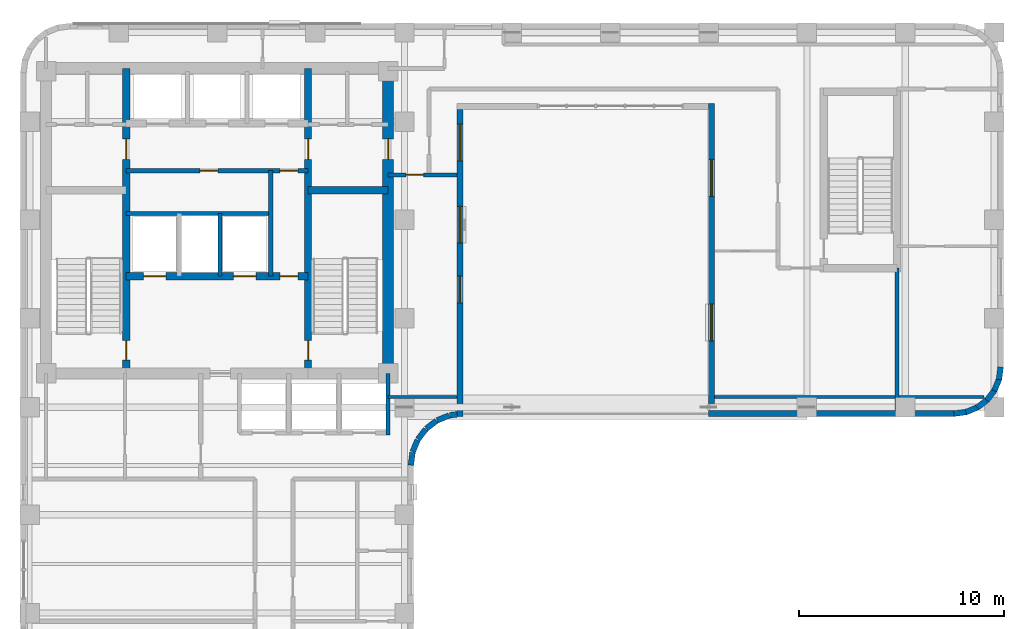
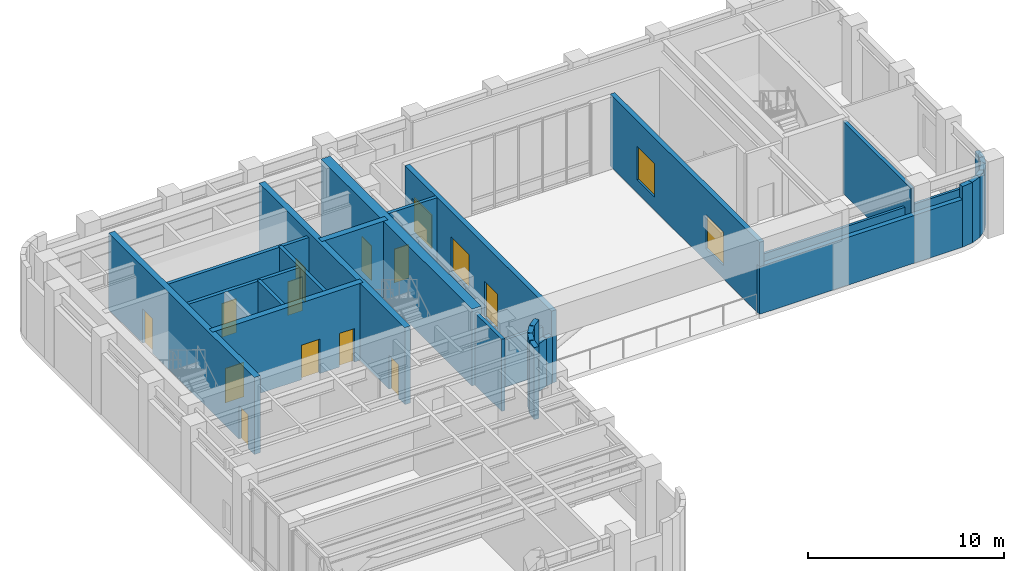
# One storey, part 7 of 12: 29 walls, 12 doors, 4 windows, 16 openings.
"""IFC4 building model written with IfcOpenShell, lengths in metres."""

from ifc_helpers import new_model, si_unit, direction, frame, frame_2d, origin, place, context, subcontext, project, spatial, rectangle, extrude, material, layer, layer_set, type_object, element, fill, save


model = new_model("IFC4")

# Units and contexts
model_context = context("Model", 3, precision=1e-05, world=origin(), true_north=direction((0.0, 1.0)))
body_context = subcontext(model_context, "Body", "Model", "MODEL_VIEW")
ifc_project = project(units=[si_unit("LENGTHUNIT", "METRE"), si_unit("AREAUNIT", "SQUARE_METRE"), si_unit("VOLUMEUNIT", "CUBIC_METRE"), si_unit("PLANEANGLEUNIT", "RADIAN"), si_unit("MASSUNIT", "GRAM", prefix="KILO")], contexts=[model_context])

# Site, building, storey
site_placement = place(None, origin())
site = spatial("IfcSite", under=ifc_project, at=site_placement, CompositionType="ELEMENT")
building_placement = place(site_placement, origin())
building = spatial("IfcBuilding", under=site, at=building_placement, Name="Orvandelia Arch Residences", CompositionType="ELEMENT")
storey_placement = place(building_placement, frame((0.0, 0.0, 193.60009765625)))
storey = spatial("IfcBuildingStorey", under=building, at=storey_placement, Name="L51", CompositionType="ELEMENT", Elevation=193.60009765625)

# Wall, openings, doors
ifc_material_1 = material(Name="Concrete C50/60", Category="concrete")
ifc_layer_1 = layer(ifc_material_1, 0.35009765625, Name="Concrete C50/60", Category="concrete")
ifc_layer_set_1 = layer_set([ifc_layer_1], Name="Concrete C50/60")
wall_type_1 = type_object("IfcWallType", Name="WL-CORE-350", PredefinedType="SHEAR", material=ifc_layer_set_1)
wall_1_placement = place(storey_placement, frame((9.9599609375, 30.89990234375, 0.0), z_axis=(0.0, 0.0, 1.0), x_axis=(0.0, 1.0, 0.0)))
wall_1 = element("IfcWall", 1, at=wall_1_placement, inside=storey, type_object=wall_type_1, Name="Core Shear Wall L51-WEB1", PredefinedType="SHEAR", context=body_context, shape_type="SweptSolid", body=[
    extrude(rectangle(XDim=14.900146484375, YDim=0.35009765625, at=frame_2d((7.4501953125, 0.0))), origin(), (0.0, 0.0, 1.0), 4.7998046875),
])
opening_1_placement = place(wall_1_placement, frame((0.64990234375, 0.0, 0.0)))
opening_1 = element("IfcOpeningElement", 2, at=opening_1_placement, cuts=wall_1, Name="Opening D7", PredefinedType="OPENING", context=body_context, shape_type="SweptSolid", body=[
    extrude(rectangle(XDim=0.949951171875, YDim=2.10009765625, at=frame_2d((0.47509765625, 1.050048828125))), frame((0.0, 0.18505859375, 0.0), z_axis=(0.0, -1.0, 0.0), x_axis=(1.0, 0.0, 0.0)), (0.0, 0.0, 1.0), 0.3701171875),
])
opening_2_placement = place(wall_1_placement, frame((10.449951171875, 0.0, 0.0)))
opening_2 = element("IfcOpeningElement", 3, at=opening_2_placement, cuts=wall_1, Name="Opening D6", PredefinedType="OPENING", context=body_context, shape_type="SweptSolid", body=[
    extrude(rectangle(XDim=1.0, YDim=2.14990234375, at=frame_2d((0.5, 1.074951171875))), frame((0.0, 0.18505859375, 0.0), z_axis=(0.0, -1.0, 0.0), x_axis=(1.0, 0.0, 0.0)), (0.0, 0.0, 1.0), 0.3701171875),
])
ifc_material_2 = material(Name="Smokeproof Painted Steel Fire Door", Category="steel")
door_type_1 = type_object("IfcDoorType", Name="DR-FD60-1000", OperationType="NOTDEFINED", PredefinedType="DOOR", material=ifc_material_2)
door_1_placement = place(opening_2_placement, origin())
door_1 = element("IfcDoor", 4, at=door_1_placement, inside=storey, type_object=door_type_1, Name="High-Rise Lift Hall West Vestibule Door L51", OperationType="SINGLE_SWING_LEFT", OverallHeight=2.14990234375, OverallWidth=1.0, PredefinedType="DOOR", context=body_context, shape_type="SweptSolid", body=[
    extrude(rectangle(XDim=1.0, YDim=2.14990234375, at=frame_2d((0.5, 1.074951171875))), frame((0.0, 0.02490234375, 0.0), z_axis=(0.0, -1.0, 0.0), x_axis=(1.0, 0.0, 0.0)), (0.0, 0.0, 1.0), 0.050048828125),
])
fill(opening_2, door_1)
ifc_material_3 = material(Name="Pressurised Stairwell Fire Door")
door_type_2 = type_object("IfcDoorType", Name="DR-STAIR-950", OperationType="NOTDEFINED", PredefinedType="DOOR", material=ifc_material_3)
door_2_placement = place(opening_1_placement, origin())
door_2 = element("IfcDoor", 5, at=door_2_placement, inside=storey, type_object=door_type_2, Name="Stairwell ST-1 Fire Door L51", OperationType="SINGLE_SWING_LEFT", OverallHeight=2.10009765625, OverallWidth=0.949951171875, PredefinedType="DOOR", context=body_context, shape_type="SweptSolid", body=[
    extrude(rectangle(XDim=0.949951171875, YDim=2.10009765625, at=frame_2d((0.47509765625, 1.050048828125))), frame((0.0, 0.02490234375, 0.0), z_axis=(0.0, -1.0, 0.0), x_axis=(1.0, 0.0, 0.0)), (0.0, 0.0, 1.0), 0.050048828125),
])
fill(opening_1, door_2)

wall_2_placement = place(storey_placement, frame((18.840087890625, 30.89990234375, 0.0), z_axis=(0.0, 0.0, 1.0), x_axis=(0.0, 1.0, 0.0)))
wall_2 = element("IfcWall", 6, at=wall_2_placement, inside=storey, type_object=wall_type_1, Name="Core Shear Wall L51-WEB2", PredefinedType="SHEAR", context=body_context, shape_type="SweptSolid", body=[
    extrude(rectangle(XDim=14.900146484375, YDim=0.35009765625, at=frame_2d((7.4501953125, 0.0))), origin(), (0.0, 0.0, 1.0), 4.7998046875),
])
opening_3_placement = place(wall_2_placement, frame((0.64990234375, 0.0, 0.0)))
opening_3 = element("IfcOpeningElement", 7, at=opening_3_placement, cuts=wall_2, Name="Opening D7", PredefinedType="OPENING", context=body_context, shape_type="SweptSolid", body=[
    extrude(rectangle(XDim=0.949951171875, YDim=2.10009765625, at=frame_2d((0.47509765625, 1.050048828125))), frame((0.0, 0.18505859375, 0.0), z_axis=(0.0, -1.0, 0.0), x_axis=(1.0, 0.0, 0.0)), (0.0, 0.0, 1.0), 0.3701171875),
])
opening_4_placement = place(wall_2_placement, frame((10.449951171875, 0.0, 0.0)))
opening_4 = element("IfcOpeningElement", 8, at=opening_4_placement, cuts=wall_2, Name="Opening D6", PredefinedType="OPENING", context=body_context, shape_type="SweptSolid", body=[
    extrude(rectangle(XDim=1.0, YDim=2.14990234375, at=frame_2d((0.5, 1.074951171875))), frame((0.0, 0.18505859375, 0.0), z_axis=(0.0, -1.0, 0.0), x_axis=(1.0, 0.0, 0.0)), (0.0, 0.0, 1.0), 0.3701171875),
])
door_3_placement = place(opening_4_placement, origin())
door_3 = element("IfcDoor", 9, at=door_3_placement, inside=storey, type_object=door_type_1, Name="High-Rise Lift Hall East Vestibule Door L51", OperationType="SINGLE_SWING_RIGHT", OverallHeight=2.14990234375, OverallWidth=1.0, PredefinedType="DOOR", context=body_context, shape_type="SweptSolid", body=[
    extrude(rectangle(XDim=1.0, YDim=2.14990234375, at=frame_2d((0.5, 1.074951171875))), frame((0.0, 0.02490234375, 0.0), z_axis=(0.0, -1.0, 0.0), x_axis=(1.0, 0.0, 0.0)), (0.0, 0.0, 1.0), 0.050048828125),
])
fill(opening_4, door_3)
door_4_placement = place(opening_3_placement, origin())
door_4 = element("IfcDoor", 10, at=door_4_placement, inside=storey, type_object=door_type_2, Name="Stairwell ST-2 Fire Door L51", OperationType="SINGLE_SWING_RIGHT", OverallHeight=2.10009765625, OverallWidth=0.949951171875, PredefinedType="DOOR", context=body_context, shape_type="SweptSolid", body=[
    extrude(rectangle(XDim=0.949951171875, YDim=2.10009765625, at=frame_2d((0.47509765625, 1.050048828125))), frame((0.0, 0.02490234375, 0.0), z_axis=(0.0, -1.0, 0.0), x_axis=(1.0, 0.0, 0.0)), (0.0, 0.0, 1.0), 0.050048828125),
])
fill(opening_3, door_4)

# Wall
wall_3_placement = place(storey_placement, frame((18.840087890625, 39.85009765625, 0.0), z_axis=(0.0, 0.0, 1.0), x_axis=(1.0, 0.0, 0.0)))
element("IfcWall", 11, at=wall_3_placement, inside=storey, type_object=wall_type_1, Name="Core Shear Wall L51-HZ2", PredefinedType="SHEAR", context=body_context, shape_type="SweptSolid", body=[
    extrude(rectangle(XDim=3.909912109375, YDim=0.35009765625, at=frame_2d((1.955078125, 0.0))), origin(), (0.0, 0.0, 1.0), 4.7998046875),
])

# Wall, openings, doors
wall_4_placement = place(storey_placement, frame((9.9599609375, 35.64990234375, 0.0), z_axis=(0.0, 0.0, 1.0), x_axis=(1.0, 0.0, 0.0)))
wall_4 = element("IfcWall", 12, at=wall_4_placement, inside=storey, type_object=wall_type_1, Name="Core Shear Wall L51-HZ3", PredefinedType="SHEAR", context=body_context, shape_type="SweptSolid", body=[
    extrude(rectangle(XDim=8.880126953125, YDim=0.35009765625, at=frame_2d((4.43994140625, 0.0))), origin(), (0.0, 0.0, 1.0), 4.7998046875),
])
opening_5_placement = place(wall_4_placement, frame((0.840087890625, 0.0, 0.0)))
opening_5 = element("IfcOpeningElement", 13, at=opening_5_placement, cuts=wall_4, Name="Opening FLD", PredefinedType="OPENING", context=body_context, shape_type="SweptSolid", body=[
    extrude(rectangle(XDim=1.10009765625, YDim=2.14990234375, at=frame_2d((0.550048828125, 1.074951171875))), frame((0.0, 0.18505859375, 0.0), z_axis=(0.0, -1.0, 0.0), x_axis=(1.0, 0.0, 0.0)), (0.0, 0.0, 1.0), 0.3701171875),
])
opening_6_placement = place(wall_4_placement, frame((5.239990234375, 0.0, 0.0)))
opening_6 = element("IfcOpeningElement", 14, at=opening_6_placement, cuts=wall_4, Name="Opening FLD", PredefinedType="OPENING", context=body_context, shape_type="SweptSolid", body=[
    extrude(rectangle(XDim=1.10009765625, YDim=2.14990234375, at=frame_2d((0.550048828125, 1.074951171875))), frame((0.0, 0.18505859375, 0.0), z_axis=(0.0, -1.0, 0.0), x_axis=(1.0, 0.0, 0.0)), (0.0, 0.0, 1.0), 0.3701171875),
])
opening_7_placement = place(wall_4_placement, frame((7.5, 0.0, 0.0)))
opening_7 = element("IfcOpeningElement", 15, at=opening_7_placement, cuts=wall_4, Name="Opening D5", PredefinedType="OPENING", context=body_context, shape_type="SweptSolid", body=[
    extrude(rectangle(XDim=0.8798828125, YDim=2.10009765625, at=frame_2d((0.43994140625, 1.050048828125))), frame((0.0, 0.18505859375, 0.0), z_axis=(0.0, -1.0, 0.0), x_axis=(1.0, 0.0, 0.0)), (0.0, 0.0, 1.0), 0.3701171875),
])
ifc_material_4 = material(Name="Firefighting Lift Stainless Sliding Door")
door_type_3 = type_object("IfcDoorType", Name="DR-FLFT-1100", OperationType="NOTDEFINED", PredefinedType="DOOR", material=ifc_material_4)
door_5_placement = place(opening_5_placement, origin())
door_5 = element("IfcDoor", 16, at=door_5_placement, inside=storey, type_object=door_type_3, Name="Firefighting Lift Landing Door FLD-FL1-L51", OperationType="SLIDING_TO_LEFT", OverallHeight=2.14990234375, OverallWidth=1.10009765625, PredefinedType="DOOR", context=body_context, shape_type="SweptSolid", body=[
    extrude(rectangle(XDim=1.10009765625, YDim=2.14990234375, at=frame_2d((0.550048828125, 1.074951171875))), frame((0.0, 0.02490234375, 0.0), z_axis=(0.0, -1.0, 0.0), x_axis=(1.0, 0.0, 0.0)), (0.0, 0.0, 1.0), 0.050048828125),
])
fill(opening_5, door_5)
door_6_placement = place(opening_6_placement, origin())
door_6 = element("IfcDoor", 17, at=door_6_placement, inside=storey, type_object=door_type_3, Name="Firefighting Lift Landing Door FLD-FL2-L51", OperationType="SLIDING_TO_RIGHT", OverallHeight=2.14990234375, OverallWidth=1.10009765625, PredefinedType="DOOR", context=body_context, shape_type="SweptSolid", body=[
    extrude(rectangle(XDim=1.10009765625, YDim=2.14990234375, at=frame_2d((0.550048828125, 1.074951171875))), frame((0.0, 0.02490234375, 0.0), z_axis=(0.0, -1.0, 0.0), x_axis=(1.0, 0.0, 0.0)), (0.0, 0.0, 1.0), 0.050048828125),
])
fill(opening_6, door_6)
ifc_material_5 = material(Name="Painted Galvanised Steel Service Door", Category="steel")
door_type_4 = type_object("IfcDoorType", Name="DR-SRV-880", OperationType="NOTDEFINED", PredefinedType="DOOR", material=ifc_material_5)
door_7_placement = place(opening_7_placement, origin())
door_7 = element("IfcDoor", 18, at=door_7_placement, inside=storey, type_object=door_type_4, Name="Core Stairway Passage South Fire Door L51", OperationType="SINGLE_SWING_LEFT", OverallHeight=2.10009765625, OverallWidth=0.8798828125, PredefinedType="DOOR", context=body_context, shape_type="SweptSolid", body=[
    extrude(rectangle(XDim=0.8798828125, YDim=2.10009765625, at=frame_2d((0.43994140625, 1.050048828125))), frame((0.0, 0.02490234375, 0.0), z_axis=(0.0, -1.0, 0.0), x_axis=(1.0, 0.0, 0.0)), (0.0, 0.0, 1.0), 0.050048828125),
])
fill(opening_7, door_7)

# Wall, opening, door
ifc_material_6 = material(Name="Concrete C60/75", Category="concrete")
ifc_layer_2 = layer(ifc_material_6, 0.550048828125, Name="Concrete C60/75", Category="concrete")
ifc_layer_set_2 = layer_set([ifc_layer_2], Name="Concrete C60/75")
wall_type_2 = type_object("IfcWallType", Name="WL-CORE-550", PredefinedType="SHEAR", material=ifc_layer_set_2)
wall_5_placement = place(storey_placement, frame((22.75, 30.625, 0.0), z_axis=(0.0, 0.0, 1.0), x_axis=(0.0, 1.0, 0.0)))
wall_5 = element("IfcWall", 19, at=wall_5_placement, inside=storey, type_object=wall_type_2, Name="Core Shear Wall L51-E", PredefinedType="SHEAR", context=body_context, shape_type="SweptSolid", body=[
    extrude(rectangle(XDim=15.449951171875, YDim=0.550048828125, at=frame_2d((7.72509765625, 0.0))), origin(), (0.0, 0.0, 1.0), 4.7998046875),
])
opening_8_placement = place(wall_5_placement, frame((10.72509765625, 0.0, 0.0)))
opening_8 = element("IfcOpeningElement", 20, at=opening_8_placement, cuts=wall_5, Name="Opening D6", PredefinedType="OPENING", context=body_context, shape_type="SweptSolid", body=[
    extrude(rectangle(XDim=1.0, YDim=2.14990234375, at=frame_2d((0.5, 1.074951171875))), frame((0.0, 0.28515625, 0.0), z_axis=(0.0, -1.0, 0.0), x_axis=(1.0, 0.0, 0.0)), (0.0, 0.0, 1.0), 0.570068359375),
])
door_8_placement = place(opening_8_placement, origin())
door_8 = element("IfcDoor", 21, at=door_8_placement, inside=storey, type_object=door_type_1, Name="Core East Corridor Link Door L51", OperationType="SINGLE_SWING_LEFT", OverallHeight=2.14990234375, OverallWidth=1.0, PredefinedType="DOOR", context=body_context, shape_type="SweptSolid", body=[
    extrude(rectangle(XDim=1.0, YDim=2.14990234375, at=frame_2d((0.5, 1.074951171875))), frame((0.0, 0.02490234375, 0.0), z_axis=(0.0, -1.0, 0.0), x_axis=(1.0, 0.0, 0.0)), (0.0, 0.0, 1.0), 0.050048828125),
])
fill(opening_8, door_8)

ifc_material_7 = material(Name="Fire-Rated Corridor Partition")
ifc_layer_3 = layer(ifc_material_7, 0.199951171875, Name="Fire-Rated Corridor Partition")
ifc_layer_set_3 = layer_set([ifc_layer_3], Name="Fire-Rated Corridor Partition")
wall_type_3 = type_object("IfcWallType", Name="WL-CORR-200", PredefinedType="PARTITIONING", material=ifc_layer_set_3)
wall_6_placement = place(storey_placement, frame((22.75, 40.60009765625, 0.0), z_axis=(0.0, 0.0, 1.0), x_axis=(1.0, 0.0, 0.0)))
wall_6 = element("IfcWall", 22, at=wall_6_placement, inside=storey, type_object=wall_type_3, Name="Interior Partition Wall WL-L51-SKELS", PredefinedType="PARTITIONING", context=body_context, shape_type="SweptSolid", body=[
    extrude(rectangle(XDim=3.3701171875, YDim=0.199951171875, at=frame_2d((1.68505859375, 0.0))), origin(), (0.0, 0.0, 1.0), 4.5),
])
opening_9_placement = place(wall_6_placement, frame((0.8798828125, 0.0, 0.0)))
opening_9 = element("IfcOpeningElement", 23, at=opening_9_placement, cuts=wall_6, Name="Opening D4", PredefinedType="OPENING", context=body_context, shape_type="SweptSolid", body=[
    extrude(rectangle(XDim=0.860107421875, YDim=2.10009765625, at=frame_2d((0.43017578125, 1.050048828125))), frame((0.0, 0.10986328125, 0.0), z_axis=(0.0, -1.0, 0.0), x_axis=(1.0, 0.0, 0.0)), (0.0, 0.0, 1.0), 0.219970703125),
])
ifc_material_8 = material(Name="Moisture-Sealed Timber Bathroom Door", Category="wood")
door_type_5 = type_object("IfcDoorType", Name="DR-WET-900", OperationType="NOTDEFINED", PredefinedType="DOOR", material=ifc_material_8)
door_9_placement = place(opening_9_placement, origin())
door_9 = element("IfcDoor", 24, at=door_9_placement, inside=storey, type_object=door_type_5, Name="DR-L51-SKWLNG", OperationType="SINGLE_SWING_LEFT", OverallHeight=2.10009765625, OverallWidth=0.860107421875, PredefinedType="DOOR", context=body_context, shape_type="SweptSolid", body=[
    extrude(rectangle(XDim=0.860107421875, YDim=2.10009765625, at=frame_2d((0.43017578125, 1.050048828125))), frame((0.0, 0.02490234375, 0.0), z_axis=(0.0, -1.0, 0.0), x_axis=(1.0, 0.0, 0.0)), (0.0, 0.0, 1.0), 0.050048828125),
])
fill(opening_9, door_9)

# Walls
ifc_material_9 = material(Name="Concrete C40/50", Category="concrete")
ifc_layer_4 = layer(ifc_material_9, 0.199951171875, Name="Concrete C40/50", Category="concrete")
ifc_layer_set_4 = layer_set([ifc_layer_4], Name="Concrete C40/50")
wall_type_4 = type_object("IfcWallType", Name="WL-DEM-200", PredefinedType="SOLIDWALL", material=ifc_layer_set_4)
wall_7_placement = place(storey_placement, frame((47.60009765625, 29.080078125, 0.0), z_axis=(0.0, 0.0, 1.0), x_axis=(0.0, 1.0, 0.0)))
element("IfcWall", 25, at=wall_7_placement, inside=storey, type_object=wall_type_4, Name="Interior Partition Wall WL-L51-SKS3E", PredefinedType="SOLIDWALL", context=body_context, shape_type="SweptSolid", body=[
    extrude(rectangle(XDim=6.9599609375, YDim=0.199951171875, at=frame_2d((3.47998046875, 0.0))), origin(), (0.0, 0.0, 1.0), 4.5),
])
ifc_material_10 = material(Name="Precast concrete C40/50", Category="concrete")
ifc_layer_5 = layer(ifc_material_10, 0.280029296875, Name="Precast concrete C40/50", Category="concrete")
ifc_layer_set_5 = layer_set([ifc_layer_5], Name="Precast concrete C40/50")
wall_type_5 = type_object("IfcWallType", Name="WL-EXT-STONE-280", PredefinedType="STANDARD", material=ifc_layer_set_5)
wall_8_placement = place(storey_placement, frame((52.6611328125, 31.21826171875, 0.0), z_axis=(0.0, 0.0, 1.0), x_axis=(-0.130555323746, -0.9914410257, 0.0)))
element("IfcWall", 26, at=wall_8_placement, inside=storey, type_object=wall_type_5, Name="Coral-Limestone Precast Facade Wall L51-015", PredefinedType="STANDARD", context=body_context, shape_type="SweptSolid", body=[
    extrude(rectangle(XDim=0.62646484375, YDim=0.280029296875, at=frame_2d((0.313232421875, 0.0))), origin(), (0.0, 0.0, 1.0), 3.77978515625),
])
wall_9_placement = place(storey_placement, frame((52.5888671875, 30.63232421875, 0.0), z_axis=(0.0, 0.0, 1.0), x_axis=(-0.382787856107, -0.923836271867, 0.0)))
element("IfcWall", 27, at=wall_9_placement, inside=storey, type_object=wall_type_5, Name="Coral-Limestone Precast Facade Wall L51-016", PredefinedType="STANDARD", context=body_context, shape_type="SweptSolid", body=[
    extrude(rectangle(XDim=0.626220703125, YDim=0.280029296875, at=frame_2d((0.31298828125, 0.0))), origin(), (0.0, 0.0, 1.0), 3.77978515625),
])
for number, where, z_axis, x_axis, name in (
    (28, (52.367431640625, 30.085205078125, 0.0), (0.0, 0.0, 1.0), (-0.608693302629, -0.793405610854, 0.0), "Coral-Limestone Precast Facade Wall L51-017"),
    (29, (52.011962890625, 29.614013671875, 0.0), (0.0, 0.0, 1.0), (-0.793405610854, -0.608693302629, 0.0), "Coral-Limestone Precast Facade Wall L51-018"),
    (30, (51.54638671875, 29.250732421875, 0.0), (0.0, 0.0, 1.0), (-0.92389335771, -0.382650053678, 0.0), "Coral-Limestone Precast Facade Wall L51-019"),
):
    element("IfcWall", number, at=place(storey_placement, frame(where, z_axis=z_axis, x_axis=x_axis)), inside=storey, type_object=wall_type_5, Name=name, PredefinedType="STANDARD", context=body_context, shape_type="SweptSolid", body=[
        extrude(rectangle(XDim=0.62646484375, YDim=0.280029296875, at=frame_2d((0.313232421875, 0.0))), origin(), (0.0, 0.0, 1.0), 3.77978515625),
    ])
wall_10_placement = place(storey_placement, frame((51.0029296875, 29.0205078125, 0.0), z_axis=(0.0, 0.0, 1.0), x_axis=(-0.991447664465, -0.130504898859, 0.0)))
element("IfcWall", 31, at=wall_10_placement, inside=storey, type_object=wall_type_5, Name="Coral-Limestone Precast Facade Wall L51-020", PredefinedType="STANDARD", context=body_context, shape_type="SweptSolid", body=[
    extrude(rectangle(XDim=0.626708984375, YDim=0.280029296875, at=frame_2d((0.3134765625, 0.0))), origin(), (0.0, 0.0, 1.0), 3.77978515625),
])
wall_11_placement = place(storey_placement, frame((50.39990234375, 28.93994140625, 0.0), z_axis=(0.0, 0.0, 1.0), x_axis=(-1.0, 0.0, 0.0)))
element("IfcWall", 32, at=wall_11_placement, inside=storey, type_object=wall_type_5, Name="Coral-Limestone Precast Facade Wall L51-021", PredefinedType="STANDARD", context=body_context, shape_type="SweptSolid", body=[
    extrude(rectangle(XDim=12.0, YDim=0.280029296875, at=frame_2d((6.0, 0.0))), origin(), (0.0, 0.0, 1.0), 2.97998046875),
])

# Wall, openings, windows
wall_12_placement = place(storey_placement, frame((38.5400390625, 28.800048828125, 0.0), z_axis=(0.0, 0.0, 1.0), x_axis=(0.0, 1.0, 0.0)))
wall_12 = element("IfcWall", 33, at=wall_12_placement, inside=storey, type_object=wall_type_5, Name="Coral-Limestone Precast Facade Wall L51-022", PredefinedType="STANDARD", context=body_context, shape_type="SweptSolid", body=[
    extrude(rectangle(XDim=15.280029296875, YDim=0.280029296875, at=frame_2d((7.64013671875, 0.0))), origin(), (0.0, 0.0, 1.0), 4.5),
])
opening_10_placement = place(wall_12_placement, frame((3.68505859375, 0.0, 0.800048828125)))
opening_10 = element("IfcOpeningElement", 34, at=opening_10_placement, cuts=wall_12, Name="Opening W1", PredefinedType="OPENING", context=body_context, shape_type="SweptSolid", body=[
    extrude(rectangle(XDim=1.800048828125, YDim=2.10009765625, at=frame_2d((0.89990234375, 1.050048828125))), frame((0.0, 0.14990234375, 0.0), z_axis=(0.0, -1.0, 0.0), x_axis=(1.0, 0.0, 0.0)), (0.0, 0.0, 1.0), 0.300048828125),
])
opening_11_placement = place(wall_12_placement, frame((10.75, 0.0, 0.800048828125)))
opening_11 = element("IfcOpeningElement", 35, at=opening_11_placement, cuts=wall_12, Name="Opening W1", PredefinedType="OPENING", context=body_context, shape_type="SweptSolid", body=[
    extrude(rectangle(XDim=1.800048828125, YDim=2.10009765625, at=frame_2d((0.89990234375, 1.050048828125))), frame((0.0, 0.14990234375, 0.0), z_axis=(0.0, -1.0, 0.0), x_axis=(1.0, 0.0, 0.0)), (0.0, 0.0, 1.0), 0.300048828125),
])
ifc_material_11 = material(Name="Tempered Low-E Insulated Glazing", Category="glass")
window_type = type_object("IfcWindowType", Name="WIN-RES-1800x2100", PartitioningType="SINGLE_PANEL", PredefinedType="WINDOW", material=ifc_material_11)
window_1_placement = place(opening_10_placement, origin())
window_1 = element("IfcWindow", 36, at=window_1_placement, inside=storey, type_object=window_type, Name="Recessed Punched Window L51-006", OverallHeight=2.10009765625, OverallWidth=1.800048828125, PartitioningType="SINGLE_PANEL", PredefinedType="WINDOW", context=body_context, shape_type="SweptSolid", body=[
    extrude(rectangle(XDim=1.800048828125, YDim=2.10009765625, at=frame_2d((0.89990234375, 1.050048828125))), frame((0.0, 0.030029296875, 0.0), z_axis=(0.0, -1.0, 0.0), x_axis=(1.0, 0.0, 0.0)), (0.0, 0.0, 1.0), 0.06005859375),
])
fill(opening_10, window_1)
window_2_placement = place(opening_11_placement, origin())
window_2 = element("IfcWindow", 37, at=window_2_placement, inside=storey, type_object=window_type, Name="Recessed Punched Window L51-007", OverallHeight=2.10009765625, OverallWidth=1.800048828125, PartitioningType="SINGLE_PANEL", PredefinedType="WINDOW", context=body_context, shape_type="SweptSolid", body=[
    extrude(rectangle(XDim=1.800048828125, YDim=2.10009765625, at=frame_2d((0.89990234375, 1.050048828125))), frame((0.0, 0.030029296875, 0.0), z_axis=(0.0, -1.0, 0.0), x_axis=(1.0, 0.0, 0.0)), (0.0, 0.0, 1.0), 0.06005859375),
])
fill(opening_11, window_2)

# Wall, openings, door, windows
wall_13_placement = place(storey_placement, frame((26.260009765625, 43.800048828125, 0.0), z_axis=(0.0, 0.0, 1.0), x_axis=(0.0, -1.0, 0.0)))
wall_13 = element("IfcWall", 38, at=wall_13_placement, inside=storey, type_object=wall_type_5, Name="Coral-Limestone Precast Facade Wall L51-025", PredefinedType="STANDARD", context=body_context, shape_type="SweptSolid", body=[
    extrude(rectangle(XDim=15.0, YDim=0.280029296875, at=frame_2d((7.5, 0.0))), origin(), (0.0, 0.0, 1.0), 4.5),
])
opening_12_placement = place(wall_13_placement, frame((8.14990234375, 0.0, 0.0)))
opening_12 = element("IfcOpeningElement", 39, at=opening_12_placement, cuts=wall_13, Name="Opening TD1", PredefinedType="OPENING", context=body_context, shape_type="SweptSolid", body=[
    extrude(rectangle(XDim=1.300048828125, YDim=2.199951171875, at=frame_2d((0.64990234375, 1.10009765625))), frame((0.0, 0.14990234375, 0.0), z_axis=(0.0, -1.0, 0.0), x_axis=(1.0, 0.0, 0.0)), (0.0, 0.0, 1.0), 0.300048828125),
])
opening_13_placement = place(wall_13_placement, frame((0.719970703125, 0.0, 0.800048828125)))
opening_13 = element("IfcOpeningElement", 40, at=opening_13_placement, cuts=wall_13, Name="Opening W1", PredefinedType="OPENING", context=body_context, shape_type="SweptSolid", body=[
    extrude(rectangle(XDim=1.800048828125, YDim=2.10009765625, at=frame_2d((0.89990234375, 1.050048828125))), frame((0.0, 0.14990234375, 0.0), z_axis=(0.0, -1.0, 0.0), x_axis=(1.0, 0.0, 0.0)), (0.0, 0.0, 1.0), 0.300048828125),
])
opening_14_placement = place(wall_13_placement, frame((4.735107421875, 0.0, 0.800048828125)))
opening_14 = element("IfcOpeningElement", 41, at=opening_14_placement, cuts=wall_13, Name="Opening W1", PredefinedType="OPENING", context=body_context, shape_type="SweptSolid", body=[
    extrude(rectangle(XDim=1.800048828125, YDim=2.10009765625, at=frame_2d((0.89990234375, 1.050048828125))), frame((0.0, 0.14990234375, 0.0), z_axis=(0.0, -1.0, 0.0), x_axis=(1.0, 0.0, 0.0)), (0.0, 0.0, 1.0), 0.300048828125),
])
ifc_material_12 = material(Name="Thermally Broken Aluminium Glazed Door", Category="aluminium")
door_type_6 = type_object("IfcDoorType", Name="DR-TERR-GLAZ-1300", OperationType="NOTDEFINED", PredefinedType="DOOR", material=ifc_material_12)
door_10_placement = place(opening_12_placement, origin())
door_10 = element("IfcDoor", 42, at=door_10_placement, inside=storey, type_object=door_type_6, Name="Glazed Sky-Terrace Access Door TERR-L51-WAIST", OperationType="SINGLE_SWING_LEFT", OverallHeight=2.199951171875, OverallWidth=1.300048828125, PredefinedType="DOOR", context=body_context, shape_type="SweptSolid", body=[
    extrude(rectangle(XDim=1.300048828125, YDim=2.199951171875, at=frame_2d((0.64990234375, 1.10009765625))), frame((0.0, 0.02490234375, 0.0), z_axis=(0.0, -1.0, 0.0), x_axis=(1.0, 0.0, 0.0)), (0.0, 0.0, 1.0), 0.050048828125),
])
fill(opening_12, door_10)
window_3_placement = place(opening_13_placement, origin())
window_3 = element("IfcWindow", 43, at=window_3_placement, inside=storey, type_object=window_type, Name="Recessed Punched Window L51-008", OverallHeight=2.10009765625, OverallWidth=1.800048828125, PartitioningType="SINGLE_PANEL", PredefinedType="WINDOW", context=body_context, shape_type="SweptSolid", body=[
    extrude(rectangle(XDim=1.800048828125, YDim=2.10009765625, at=frame_2d((0.89990234375, 1.050048828125))), frame((0.0, 0.030029296875, 0.0), z_axis=(0.0, -1.0, 0.0), x_axis=(1.0, 0.0, 0.0)), (0.0, 0.0, 1.0), 0.06005859375),
])
fill(opening_13, window_3)
window_4_placement = place(opening_14_placement, origin())
window_4 = element("IfcWindow", 44, at=window_4_placement, inside=storey, type_object=window_type, Name="Recessed Punched Window L51-009", OverallHeight=2.10009765625, OverallWidth=1.800048828125, PartitioningType="SINGLE_PANEL", PredefinedType="WINDOW", context=body_context, shape_type="SweptSolid", body=[
    extrude(rectangle(XDim=1.800048828125, YDim=2.10009765625, at=frame_2d((0.89990234375, 1.050048828125))), frame((0.0, 0.030029296875, 0.0), z_axis=(0.0, -1.0, 0.0), x_axis=(1.0, 0.0, 0.0)), (0.0, 0.0, 1.0), 0.06005859375),
])
fill(opening_14, window_4)

# Walls
wall_14_placement = place(storey_placement, frame((26.123779296875, 28.90478515625, 0.0), z_axis=(0.0, 0.0, 1.0), x_axis=(-0.991436143334, -0.130592395224, 0.0)))
element("IfcWall", 45, at=wall_14_placement, inside=storey, type_object=wall_type_5, Name="Coral-Limestone Precast Facade Wall L51-026", PredefinedType="STANDARD", context=body_context, shape_type="SweptSolid", body=[
    extrude(rectangle(XDim=0.366455078125, YDim=0.280029296875, at=frame_2d((0.18310546875, 0.0))), origin(), (0.0, 0.0, 1.0), 2.97998046875),
])
wall_15_placement = place(storey_placement, frame((25.72509765625, 28.847412109375, 0.0), z_axis=(0.0, 0.0, 1.0), x_axis=(-0.923974080304, -0.382455093999, 0.0)))
element("IfcWall", 46, at=wall_15_placement, inside=storey, type_object=wall_type_5, Name="Coral-Limestone Precast Facade Wall L51-027", PredefinedType="STANDARD", context=body_context, shape_type="SweptSolid", body=[
    extrude(rectangle(XDim=0.626220703125, YDim=0.280029296875, at=frame_2d((0.31298828125, 0.0))), origin(), (0.0, 0.0, 1.0), 2.97998046875),
])
for number, where, z_axis, x_axis, name in (
    (47, (25.11474609375, 28.589599609375, 0.0), (0.0, 0.0, 1.0), (-0.793405610854, -0.608693302629, 0.0), "Coral-Limestone Precast Facade Wall L51-028"),
    (48, (24.591796875, 28.182373046875, 0.0), (0.0, 0.0, 1.0), (-0.608693302629, -0.793405610854, 0.0), "Coral-Limestone Precast Facade Wall L51-029"),
    (49, (24.192138671875, 27.653564453125, 0.0), (0.0, 0.0, 1.0), (-0.382650053678, -0.92389335771, 0.0), "Coral-Limestone Precast Facade Wall L51-030"),
):
    element("IfcWall", number, at=place(storey_placement, frame(where, z_axis=z_axis, x_axis=x_axis)), inside=storey, type_object=wall_type_5, Name=name, PredefinedType="STANDARD", context=body_context, shape_type="SweptSolid", body=[
        extrude(rectangle(XDim=0.62646484375, YDim=0.280029296875, at=frame_2d((0.313232421875, 0.0))), origin(), (0.0, 0.0, 1.0), 4.5),
    ])
wall_16_placement = place(storey_placement, frame((23.943115234375, 27.03955078125, 0.0), z_axis=(0.0, 0.0, 1.0), x_axis=(-0.130887801573, -0.991397187508, 0.0)))
element("IfcWall", 50, at=wall_16_placement, inside=storey, type_object=wall_type_5, Name="Coral-Limestone Precast Facade Wall L51-031", PredefinedType="STANDARD", context=body_context, shape_type="SweptSolid", body=[
    extrude(rectangle(XDim=0.626708984375, YDim=0.280029296875, at=frame_2d((0.3134765625, 0.0))), origin(), (0.0, 0.0, 1.0), 4.5),
])
ifc_material_13 = material(Name="Acoustic Gypsum Stud Partition")
ifc_layer_6 = layer(ifc_material_13, 0.14990234375, Name="Acoustic Gypsum Stud Partition")
ifc_layer_set_6 = layer_set([ifc_layer_6], Name="Acoustic Gypsum Stud Partition")
wall_type_6 = type_object("IfcWallType", Name="WL-PART-150", PredefinedType="PARTITIONING", material=ifc_layer_set_6)
wall_17_placement = place(storey_placement, frame((22.75, 29.75, 0.0), z_axis=(0.0, 0.0, 1.0), x_axis=(1.0, 0.0, 0.0)))
element("IfcWall", 51, at=wall_17_placement, inside=storey, type_object=wall_type_6, Name="Interior Partition Wall WL-L51-TRUSS-SW", PredefinedType="PARTITIONING", context=body_context, shape_type="SweptSolid", body=[
    extrude(rectangle(XDim=3.3701171875, YDim=0.14990234375, at=frame_2d((1.68505859375, 0.0))), origin(), (0.0, 0.0, 1.0), 2.97998046875),
])
wall_18_placement = place(storey_placement, frame((38.679931640625, 29.75, 0.0), z_axis=(0.0, 0.0, 1.0), x_axis=(1.0, 0.0, 0.0)))
element("IfcWall", 52, at=wall_18_placement, inside=storey, type_object=wall_type_6, Name="Interior Partition Wall WL-L51-TRUSS-SE", PredefinedType="PARTITIONING", context=body_context, shape_type="SweptSolid", body=[
    extrude(rectangle(XDim=13.170166015625, YDim=0.14990234375, at=frame_2d((6.5849609375, 0.0))), origin(), (0.0, 0.0, 1.0), 2.97998046875),
])
ifc_material_14 = material(Name="Fire-Rated Shaft Enclosure Wall")
ifc_layer_7 = layer(ifc_material_14, 0.199951171875, Name="Fire-Rated Shaft Enclosure Wall")
ifc_layer_set_7 = layer_set([ifc_layer_7], Name="Fire-Rated Shaft Enclosure Wall")
wall_type_7 = type_object("IfcWallType", Name="WL-SHAFT-200", PredefinedType="POLYGONAL", material=ifc_layer_set_7)
wall_19_placement = place(storey_placement, frame((9.9599609375, 38.719970703125, 0.0), z_axis=(0.0, 0.0, 1.0), x_axis=(1.0, 0.0, 0.0)))
element("IfcWall", 53, at=wall_19_placement, inside=storey, type_object=wall_type_7, Name="Interior Partition Wall WL-L51-FLN", PredefinedType="POLYGONAL", context=body_context, shape_type="SweptSolid", body=[
    extrude(rectangle(XDim=7.06005859375, YDim=0.199951171875, at=frame_2d((3.530029296875, 0.0))), origin(), (0.0, 0.0, 1.0), 4.5),
])
wall_20_placement = place(storey_placement, frame((14.550048828125, 35.64990234375, 0.0), z_axis=(0.0, 0.0, 1.0), x_axis=(0.0, 1.0, 0.0)))
element("IfcWall", 54, at=wall_20_placement, inside=storey, type_object=wall_type_7, Name="Interior Partition Wall WL-L51-FLM2", PredefinedType="POLYGONAL", context=body_context, shape_type="SweptSolid", body=[
    extrude(rectangle(XDim=3.070068359375, YDim=0.199951171875, at=frame_2d((1.53515625, 0.0))), origin(), (0.0, 0.0, 1.0), 4.5),
])
wall_21_placement = place(storey_placement, frame((17.02001953125, 35.64990234375, 0.0), z_axis=(0.0, 0.0, 1.0), x_axis=(0.0, 1.0, 0.0)))
element("IfcWall", 55, at=wall_21_placement, inside=storey, type_object=wall_type_7, Name="Interior Partition Wall WL-L51-FLM3", PredefinedType="POLYGONAL", context=body_context, shape_type="SweptSolid", body=[
    extrude(rectangle(XDim=5.150146484375, YDim=0.199951171875, at=frame_2d((2.5751953125, 0.0))), origin(), (0.0, 0.0, 1.0), 4.5),
])

# Wall, openings, doors
wall_22_placement = place(storey_placement, frame((9.9599609375, 40.800048828125, 0.0), z_axis=(0.0, 0.0, 1.0), x_axis=(1.0, 0.0, 0.0)))
wall_22 = element("IfcWall", 56, at=wall_22_placement, inside=storey, type_object=wall_type_7, Name="Interior Partition Wall WL-L51-HLH-S", PredefinedType="POLYGONAL", context=body_context, shape_type="SweptSolid", body=[
    extrude(rectangle(XDim=8.880126953125, YDim=0.199951171875, at=frame_2d((4.43994140625, 0.0))), origin(), (0.0, 0.0, 1.0), 4.5),
])
opening_15_placement = place(wall_22_placement, frame((7.5, 0.0, 0.0)))
opening_15 = element("IfcOpeningElement", 57, at=opening_15_placement, cuts=wall_22, Name="Opening D5", PredefinedType="OPENING", context=body_context, shape_type="SweptSolid", body=[
    extrude(rectangle(XDim=0.8798828125, YDim=2.10009765625, at=frame_2d((0.43994140625, 1.050048828125))), frame((0.0, 0.10986328125, 0.0), z_axis=(0.0, -1.0, 0.0), x_axis=(1.0, 0.0, 0.0)), (0.0, 0.0, 1.0), 0.219970703125),
])
opening_16_placement = place(wall_22_placement, frame((3.60009765625, 0.0, 0.0)))
opening_16 = element("IfcOpeningElement", 58, at=opening_16_placement, cuts=wall_22, Name="Opening D5", PredefinedType="OPENING", context=body_context, shape_type="SweptSolid", body=[
    extrude(rectangle(XDim=0.8798828125, YDim=2.10009765625, at=frame_2d((0.43994140625, 1.050048828125))), frame((0.0, 0.10986328125, 0.0), z_axis=(0.0, -1.0, 0.0), x_axis=(1.0, 0.0, 0.0)), (0.0, 0.0, 1.0), 0.219970703125),
])
door_11_placement = place(opening_15_placement, origin())
door_11 = element("IfcDoor", 59, at=door_11_placement, inside=storey, type_object=door_type_4, Name="Core Stairway Passage North Fire Door L51", OperationType="SINGLE_SWING_RIGHT", OverallHeight=2.10009765625, OverallWidth=0.8798828125, PredefinedType="DOOR", context=body_context, shape_type="SweptSolid", body=[
    extrude(rectangle(XDim=0.8798828125, YDim=2.10009765625, at=frame_2d((0.43994140625, 1.050048828125))), frame((0.0, 0.02490234375, 0.0), z_axis=(0.0, -1.0, 0.0), x_axis=(1.0, 0.0, 0.0)), (0.0, 0.0, 1.0), 0.050048828125),
])
fill(opening_15, door_11)
door_12_placement = place(opening_16_placement, origin())
door_12 = element("IfcDoor", 60, at=door_12_placement, inside=storey, type_object=door_type_4, Name="DR-L51-CSA1", OperationType="SINGLE_SWING_LEFT", OverallHeight=2.10009765625, OverallWidth=0.8798828125, PredefinedType="DOOR", context=body_context, shape_type="SweptSolid", body=[
    extrude(rectangle(XDim=0.8798828125, YDim=2.10009765625, at=frame_2d((0.43994140625, 1.050048828125))), frame((0.0, 0.02490234375, 0.0), z_axis=(0.0, -1.0, 0.0), x_axis=(1.0, 0.0, 0.0)), (0.0, 0.0, 1.0), 0.050048828125),
])
fill(opening_16, door_12)

# Wall
wall_23_placement = place(storey_placement, frame((22.75, 27.89990234375, 0.0), z_axis=(0.0, 0.0, 1.0), x_axis=(0.0, 1.0, 0.0)))
element("IfcWall", 61, at=wall_23_placement, inside=storey, type_object=wall_type_7, Name="Interior Partition Wall WL-L51-BNKM-E", PredefinedType="POLYGONAL", context=body_context, shape_type="SweptSolid", body=[
    extrude(rectangle(XDim=3.0, YDim=0.199951171875, at=frame_2d((1.5, 0.0))), origin(), (0.0, 0.0, 1.0), 4.5),
])

save(model, "model.ifc")
